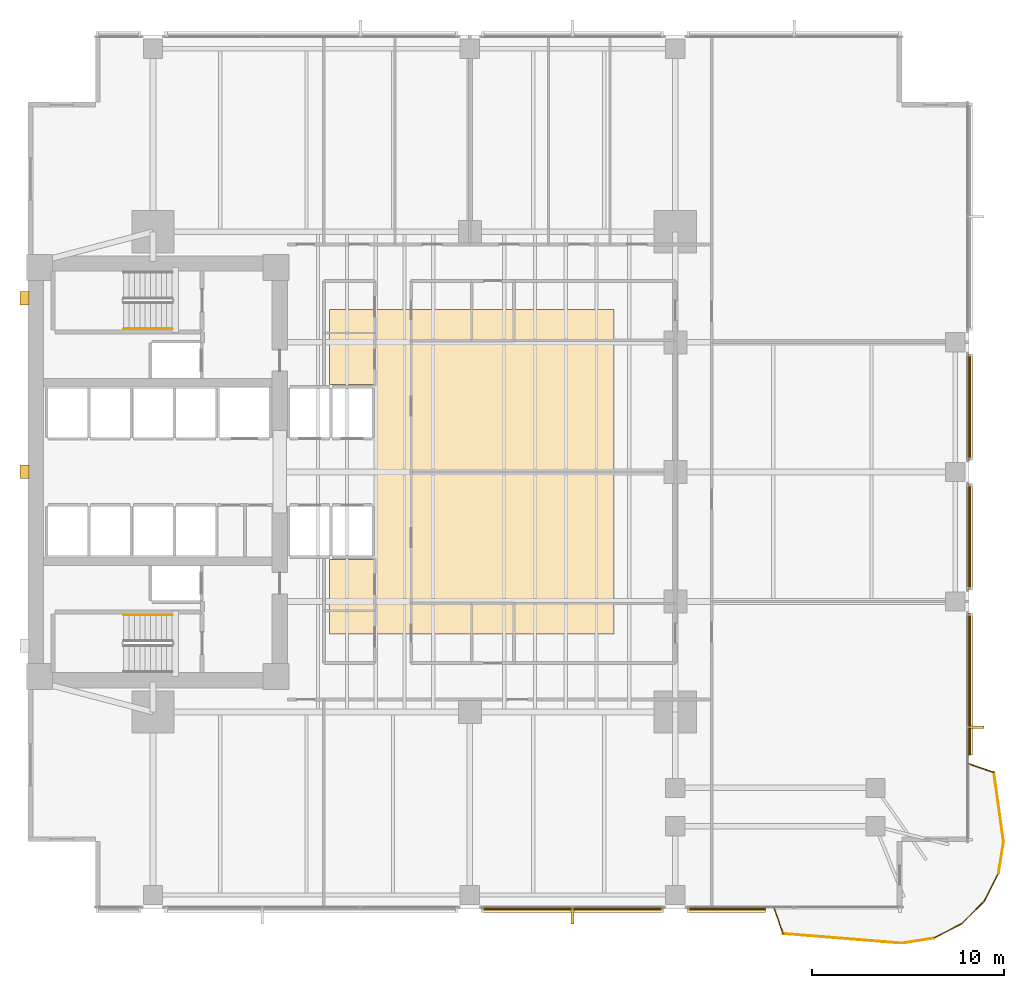
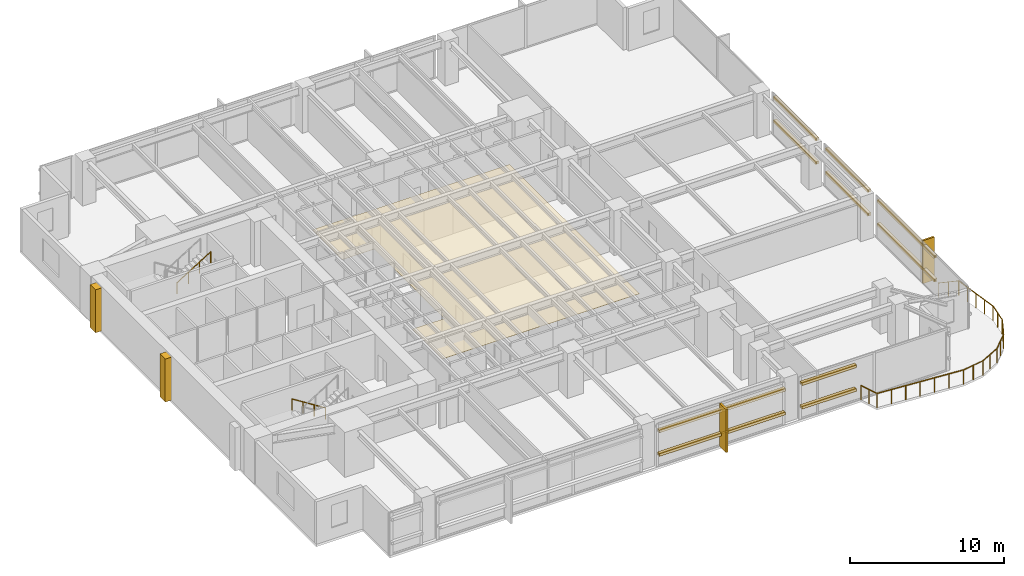
# One storey, part 13 of 15: 15 coverings, 11 railings, 10 shading devices.
"""IFC4 building model written with IfcOpenShell, lengths in metres."""

from ifc_helpers import new_model, si_unit, direction, frame, origin, origin_2d, place, context, subcontext, project, spatial, polyline, rectangle, circle, outline, extrude, material, layer, layer_set, material_profile, profile_set, type_object, element, save


model = new_model("IFC4")

# Units and contexts
model_context = context("Model", 3, precision=1e-05, world=origin(), true_north=direction((0.0, 1.0)))
body_context = subcontext(model_context, "Body", "Model", "MODEL_VIEW")
ifc_project = project(units=[si_unit("LENGTHUNIT", "METRE"), si_unit("AREAUNIT", "SQUARE_METRE"), si_unit("VOLUMEUNIT", "CUBIC_METRE"), si_unit("PLANEANGLEUNIT", "RADIAN"), si_unit("MASSUNIT", "GRAM", prefix="KILO")], contexts=[model_context])

# Site, building, storey
site_placement = place(None, origin())
site = spatial("IfcSite", under=ifc_project, at=site_placement, CompositionType="ELEMENT")
building_placement = place(site_placement, origin())
building = spatial("IfcBuilding", under=site, at=building_placement, Name="Kinhvarn Gate Tower", CompositionType="ELEMENT")
storey_placement = place(building_placement, frame((0.0, 0.0, 50.449951171875)))
storey = spatial("IfcBuildingStorey", under=building, at=storey_placement, Name="L12", CompositionType="ELEMENT", Elevation=50.449951171875)

# Coverings
ifc_material_1 = material(Name="Fired architectural terracotta", Category="masonry")
ifc_layer_1 = layer(ifc_material_1, 0.239990234375)
ifc_layer_set_1 = layer_set([ifc_layer_1], Name="Fired architectural terracotta")
covering_type_1 = type_object("IfcCoveringType", Name="COV-BAG-220", PredefinedType="CLADDING", material=ifc_layer_set_1)
covering_1_placement = place(storey_placement, frame((0.0, 0.0, 0.93994140625)))
element("IfcCovering", 1, at=covering_1_placement, inside=storey, type_object=covering_type_1, Name="Terracotta Horizontal Sunscreen Band TBG-220 (L12)", PredefinedType="CLADDING", context=body_context, shape_type="SweptSolid", body=[
    extrude(outline(polyline([(28.1201171875, 2.56005859375), (37.580078125, 2.56005859375), (37.580078125, 2.320068359375), (28.1201171875, 2.320068359375), (28.1201171875, 2.56005859375)])), origin(), (0.0, 0.0, 1.0), 0.22021484375),
])
covering_2_placement = place(storey_placement, frame((0.0, 0.0, 2.81005859375)))
element("IfcCovering", 2, at=covering_2_placement, inside=storey, type_object=covering_type_1, Name="Terracotta Horizontal Sunscreen Band TBG-220 (L12)", PredefinedType="CLADDING", context=body_context, shape_type="SweptSolid", body=[
    extrude(outline(polyline([(28.1201171875, 2.56005859375), (37.580078125, 2.56005859375), (37.580078125, 2.320068359375), (28.1201171875, 2.320068359375), (28.1201171875, 2.56005859375)])), origin(), (0.0, 0.0, 1.0), 0.219970703125),
])
covering_3_placement = place(storey_placement, frame((0.0, 0.0, 0.93994140625)))
element("IfcCovering", 3, at=covering_3_placement, inside=storey, type_object=covering_type_1, Name="Terracotta Horizontal Sunscreen Band TBG-220 (L12)", PredefinedType="CLADDING", context=body_context, shape_type="SweptSolid", body=[
    extrude(outline(polyline([(38.820068359375, 2.56005859375), (42.906005859375, 2.56005859375), (42.906005859375, 2.320068359375), (38.820068359375, 2.320068359375), (38.820068359375, 2.56005859375)])), origin(), (0.0, 0.0, 1.0), 0.22021484375),
])
covering_4_placement = place(storey_placement, frame((0.0, 0.0, 2.81005859375)))
element("IfcCovering", 4, at=covering_4_placement, inside=storey, type_object=covering_type_1, Name="Terracotta Horizontal Sunscreen Band TBG-220 (L12)", PredefinedType="CLADDING", context=body_context, shape_type="SweptSolid", body=[
    extrude(outline(polyline([(38.820068359375, 2.56005859375), (42.906005859375, 2.56005859375), (42.906005859375, 2.320068359375), (38.820068359375, 2.320068359375), (38.820068359375, 2.56005859375)])), origin(), (0.0, 0.0, 1.0), 0.219970703125),
])
covering_5_placement = place(storey_placement, frame((0.0, 0.0, 0.93994140625)))
element("IfcCovering", 5, at=covering_5_placement, inside=storey, type_object=covering_type_1, Name="Terracotta Horizontal Sunscreen Band TBG-220 (L12)", PredefinedType="CLADDING", context=body_context, shape_type="SweptSolid", body=[
    extrude(outline(polyline([(53.43994140625, 10.4990234375), (53.43994140625, 17.8798828125), (53.679931640625, 17.8798828125), (53.679931640625, 10.4990234375), (53.43994140625, 10.4990234375)])), origin(), (0.0, 0.0, 1.0), 0.22021484375),
])
covering_6_placement = place(storey_placement, frame((0.0, 0.0, 2.81005859375)))
element("IfcCovering", 6, at=covering_6_placement, inside=storey, type_object=covering_type_1, Name="Terracotta Horizontal Sunscreen Band TBG-220 (L12)", PredefinedType="CLADDING", context=body_context, shape_type="SweptSolid", body=[
    extrude(outline(polyline([(53.43994140625, 10.4990234375), (53.43994140625, 17.8798828125), (53.679931640625, 17.8798828125), (53.679931640625, 10.4990234375), (53.43994140625, 10.4990234375)])), origin(), (0.0, 0.0, 1.0), 0.219970703125),
])
covering_7_placement = place(storey_placement, frame((0.0, 0.0, 0.93994140625)))
element("IfcCovering", 7, at=covering_7_placement, inside=storey, type_object=covering_type_1, Name="Terracotta Horizontal Sunscreen Band TBG-220 (L12)", PredefinedType="CLADDING", context=body_context, shape_type="SweptSolid", body=[
    extrude(outline(polyline([(53.43994140625, 19.1201171875), (53.43994140625, 24.6298828125), (53.679931640625, 24.6298828125), (53.679931640625, 19.1201171875), (53.43994140625, 19.1201171875)])), origin(), (0.0, 0.0, 1.0), 0.22021484375),
])
covering_8_placement = place(storey_placement, frame((0.0, 0.0, 2.81005859375)))
element("IfcCovering", 8, at=covering_8_placement, inside=storey, type_object=covering_type_1, Name="Terracotta Horizontal Sunscreen Band TBG-220 (L12)", PredefinedType="CLADDING", context=body_context, shape_type="SweptSolid", body=[
    extrude(outline(polyline([(53.43994140625, 19.1201171875), (53.43994140625, 24.6298828125), (53.679931640625, 24.6298828125), (53.679931640625, 19.1201171875), (53.43994140625, 19.1201171875)])), origin(), (0.0, 0.0, 1.0), 0.219970703125),
])
covering_9_placement = place(storey_placement, frame((0.0, 0.0, 0.93994140625)))
element("IfcCovering", 9, at=covering_9_placement, inside=storey, type_object=covering_type_1, Name="Terracotta Horizontal Sunscreen Band TBG-220 (L12)", PredefinedType="CLADDING", context=body_context, shape_type="SweptSolid", body=[
    extrude(outline(polyline([(53.43994140625, 25.8701171875), (53.43994140625, 31.3798828125), (53.679931640625, 31.3798828125), (53.679931640625, 25.8701171875), (53.43994140625, 25.8701171875)])), origin(), (0.0, 0.0, 1.0), 0.22021484375),
])
covering_10_placement = place(storey_placement, frame((0.0, 0.0, 2.81005859375)))
element("IfcCovering", 10, at=covering_10_placement, inside=storey, type_object=covering_type_1, Name="Terracotta Horizontal Sunscreen Band TBG-220 (L12)", PredefinedType="CLADDING", context=body_context, shape_type="SweptSolid", body=[
    extrude(outline(polyline([(53.43994140625, 25.8701171875), (53.43994140625, 31.3798828125), (53.679931640625, 31.3798828125), (53.679931640625, 25.8701171875), (53.43994140625, 25.8701171875)])), origin(), (0.0, 0.0, 1.0), 0.219970703125),
])
ifc_material_2 = material(Name="Mineral-fibre acoustic ceiling tile")
ifc_layer_2 = layer(ifc_material_2, 0.02001953125)
ifc_layer_set_2 = layer_set([ifc_layer_2], Name="Mineral-fibre acoustic ceiling tile")
covering_type_2 = type_object("IfcCoveringType", Name="COV-CEIL-20", PredefinedType="CEILING", material=ifc_layer_set_2)
covering_11_placement = place(storey_placement, frame((0.0, 0.0, 2.650146484375)))
element("IfcCovering", 11, at=covering_11_placement, inside=storey, type_object=covering_type_2, Name="Suspended Acoustic Ceiling Tile (L12-1)", PredefinedType="CEILING", context=body_context, shape_type="SweptSolid", body=[
    extrude(outline(polyline([(35.0, 33.699951171875), (35.0, 16.800048828125), (20.199951171875, 16.800048828125), (20.199951171875, 20.699951171875), (22.60009765625, 20.699951171875), (22.60009765625, 29.800048828125), (20.199951171875, 29.800048828125), (20.199951171875, 33.699951171875), (35.0, 33.699951171875)])), origin(), (0.0, 0.0, 1.0), 0.02001953125),
])
ifc_layer_3 = layer(ifc_material_1, 0.139892578125)
ifc_layer_set_3 = layer_set([ifc_layer_3], Name="Fired architectural terracotta")
covering_type_3 = type_object("IfcCoveringType", Name="COV-FIN-850", PredefinedType="CLADDING", material=ifc_layer_set_3)
covering_12_placement = place(storey_placement, frame((0.0, 0.0, -0.02001953125)))
element("IfcCovering", 12, at=covering_12_placement, inside=storey, type_object=covering_type_3, Name="Vertical Terracotta Expressive Fin TFN-850 (L12)", PredefinedType="CLADDING", context=body_context, shape_type="SweptSolid", body=[
    extrude(outline(polyline([(32.780029296875, 2.570068359375), (32.919921875, 2.570068359375), (32.919921875, 1.719970703125), (32.780029296875, 1.719970703125), (32.780029296875, 2.570068359375)])), origin(), (0.0, 0.0, 1.0), 3.41015625),
])
covering_13_placement = place(storey_placement, frame((0.0, 0.0, -0.02001953125)))
element("IfcCovering", 13, at=covering_13_placement, inside=storey, type_object=covering_type_3, Name="Vertical Terracotta Expressive Fin TFN-850 (L12)", PredefinedType="CLADDING", context=body_context, shape_type="SweptSolid", body=[
    extrude(outline(polyline([(53.429931640625, 11.889892578125), (53.429931640625, 12.030029296875), (54.280029296875, 12.030029296875), (54.280029296875, 11.889892578125), (53.429931640625, 11.889892578125)])), origin(), (0.0, 0.0, 1.0), 3.41015625),
])
ifc_material_3 = material(Name="Precast white architectural concrete C40/50", Category="concrete")
ifc_layer_4 = layer(ifc_material_3, 0.47998046875)
ifc_layer_set_4 = layer_set([ifc_layer_4], Name="Precast white architectural concrete C40/50")
covering_type_4 = type_object("IfcCoveringType", Name="COV-RIB-450", PredefinedType="CLADDING", material=ifc_layer_set_4)
covering_14_placement = place(storey_placement, frame((0.0, 0.0, -0.02001953125)))
element("IfcCovering", 14, at=covering_14_placement, inside=storey, type_object=covering_type_4, Name="West Core Sculptural Concrete Relief Rib CRB-450 (L12)", PredefinedType="CLADDING", context=body_context, shape_type="SweptSolid", body=[
    extrude(outline(polyline([(4.080078125, 24.89990234375), (4.56005859375, 24.89990234375), (4.56005859375, 25.60009765625), (4.080078125, 25.60009765625), (4.080078125, 24.89990234375)])), origin(), (0.0, 0.0, 1.0), 3.41015625),
])
covering_15_placement = place(storey_placement, frame((0.0, 0.0, -0.02001953125)))
element("IfcCovering", 15, at=covering_15_placement, inside=storey, type_object=covering_type_4, Name="West Core Sculptural Concrete Relief Rib CRB-450 (L12)", PredefinedType="CLADDING", context=body_context, shape_type="SweptSolid", body=[
    extrude(outline(polyline([(4.080078125, 33.949951171875), (4.56005859375, 33.949951171875), (4.56005859375, 34.64990234375), (4.080078125, 34.64990234375), (4.080078125, 33.949951171875)])), origin(), (0.0, 0.0, 1.0), 3.41015625),
])

# Railings
ifc_material_4 = material(Name="Clear low-e double glazing", Category="glass")
railing_type_1 = type_object("IfcRailingType", Name="RL-BAL-1150", PredefinedType="BALUSTRADE", material=ifc_material_4)
railing_1_placement = place(storey_placement, frame((43.35595703125, 2.5, 0.0)))
element("IfcRailing", 16, at=railing_1_placement, inside=storey, type_object=railing_type_1, Name="S-Carve Balcony Guardrail Seg 1 (L12)", PredefinedType="BALUSTRADE", context=body_context, shape_type="SweptSolid", body=[
    extrude(circle(Radius=0.02392578125, at=origin_2d()), frame((0.0, 0.0, 1.1259765625), z_axis=(0.329609454803, -0.944117369454, 0.0), x_axis=(0.944117369454, 0.329609454803, 0.0)), (0.0, 0.0, 1.0), 1.364990234375),
    extrude(circle(Radius=0.02099609375, at=origin_2d()), origin(), (0.0, 0.0, 1.0), 1.101806640625),
    extrude(circle(Radius=0.02099609375, at=origin_2d()), frame((0.22509765625, -0.64453125, 0.0)), (0.0, 0.0, 1.0), 1.101806640625),
    extrude(circle(Radius=0.02099609375, at=origin_2d()), frame((0.449951171875, -1.288818359375, 0.0)), (0.0, 0.0, 1.0), 1.101806640625),
])
railing_2_placement = place(storey_placement, frame((43.805908203125, 1.211181640625, 0.0)))
element("IfcRailing", 17, at=railing_2_placement, inside=storey, type_object=railing_type_1, Name="S-Carve Balcony Guardrail Seg 2 (L12)", PredefinedType="BALUSTRADE", context=body_context, shape_type="SweptSolid", body=[
    extrude(circle(Radius=0.02392578125, at=origin_2d()), frame((0.0, 0.0, 1.1259765625), z_axis=(0.996742035741, -0.08065552794, 0.0), x_axis=(0.08065552794, 0.996742035741, 0.0)), (0.0, 0.0, 1.0), 6.21435546875),
    extrude(circle(Radius=0.02099609375, at=origin_2d()), origin(), (0.0, 0.0, 1.0), 1.101806640625),
    extrude(circle(Radius=0.02099609375, at=origin_2d()), frame((1.0322265625, -0.08349609375, 0.0)), (0.0, 0.0, 1.0), 1.101806640625),
    extrude(circle(Radius=0.02099609375, at=origin_2d()), frame((2.064697265625, -0.1669921875, 0.0)), (0.0, 0.0, 1.0), 1.101806640625),
    extrude(circle(Radius=0.02099609375, at=origin_2d()), frame((3.09716796875, -0.25048828125, 0.0)), (0.0, 0.0, 1.0), 1.101806640625),
    extrude(circle(Radius=0.02099609375, at=origin_2d()), frame((4.12939453125, -0.334228515625, 0.0)), (0.0, 0.0, 1.0), 1.101806640625),
    extrude(circle(Radius=0.02099609375, at=origin_2d()), frame((5.16162109375, -0.417724609375, 0.0)), (0.0, 0.0, 1.0), 1.101806640625),
    extrude(circle(Radius=0.02099609375, at=origin_2d()), frame((6.194091796875, -0.501220703125, 0.0)), (0.0, 0.0, 1.0), 1.101806640625),
])
railing_3_placement = place(storey_placement, frame((50.0, 0.7099609375, 0.0)))
element("IfcRailing", 18, at=railing_3_placement, inside=storey, type_object=railing_type_1, Name="S-Carve Balcony Guardrail Seg 3 (L12)", PredefinedType="BALUSTRADE", context=body_context, shape_type="SweptSolid", body=[
    extrude(circle(Radius=0.02392578125, at=origin_2d()), frame((0.0, 0.0, 1.1259765625), z_axis=(0.987677905229, 0.156500337134, 0.0), x_axis=(-0.156500337134, 0.987677905229, 0.0)), (0.0, 0.0, 1.0), 1.6552734375),
    extrude(circle(Radius=0.02099609375, at=origin_2d()), origin(), (0.0, 0.0, 1.0), 1.101806640625),
    extrude(circle(Radius=0.02099609375, at=origin_2d()), frame((0.8173828125, 0.12939453125, 0.0)), (0.0, 0.0, 1.0), 1.101806640625),
    extrude(circle(Radius=0.02099609375, at=origin_2d()), frame((1.634765625, 0.259033203125, 0.0)), (0.0, 0.0, 1.0), 1.101806640625),
])
railing_4_placement = place(storey_placement, frame((51.634765625, 0.968994140625, 0.0)))
element("IfcRailing", 19, at=railing_4_placement, inside=storey, type_object=railing_type_1, Name="S-Carve Balcony Guardrail Seg 4 (L12)", PredefinedType="BALUSTRADE", context=body_context, shape_type="SweptSolid", body=[
    extrude(circle(Radius=0.02392578125, at=origin_2d()), frame((0.0, 0.0, 1.1259765625), z_axis=(0.891038371046, 0.453927991342, 0.0), x_axis=(-0.453927991342, 0.891038371046, 0.0)), (0.0, 0.0, 1.0), 1.655029296875),
    extrude(circle(Radius=0.02099609375, at=origin_2d()), origin(), (0.0, 0.0, 1.0), 1.101806640625),
    extrude(circle(Radius=0.02099609375, at=origin_2d()), frame((0.7373046875, 0.37548828125, 0.0)), (0.0, 0.0, 1.0), 1.101806640625),
    extrude(circle(Radius=0.02099609375, at=origin_2d()), frame((1.474609375, 0.751220703125, 0.0)), (0.0, 0.0, 1.0), 1.101806640625),
])
railing_5_placement = place(storey_placement, frame((53.109375, 1.72021484375, 0.0)))
element("IfcRailing", 20, at=railing_5_placement, inside=storey, type_object=railing_type_1, Name="S-Carve Balcony Guardrail Seg 5 (L12)", PredefinedType="BALUSTRADE", context=body_context, shape_type="SweptSolid", body=[
    extrude(circle(Radius=0.02392578125, at=origin_2d()), frame((0.0, 0.0, 1.1259765625), z_axis=(0.707106781187, 0.707106781187, 0.0), x_axis=(-0.707106781187, 0.707106781187, 0.0)), (0.0, 0.0, 1.0), 1.6552734375),
    extrude(circle(Radius=0.02099609375, at=origin_2d()), origin(), (0.0, 0.0, 1.0), 1.101806640625),
    extrude(circle(Radius=0.02099609375, at=origin_2d()), frame((0.585205078125, 0.585205078125, 0.0)), (0.0, 0.0, 1.0), 1.101806640625),
    extrude(circle(Radius=0.02099609375, at=origin_2d()), frame((1.17041015625, 1.17041015625, 0.0)), (0.0, 0.0, 1.0), 1.101806640625),
])
railing_6_placement = place(storey_placement, frame((54.27978515625, 2.890625, 0.0)))
element("IfcRailing", 21, at=railing_6_placement, inside=storey, type_object=railing_type_1, Name="S-Carve Balcony Guardrail Seg 6 (L12)", PredefinedType="BALUSTRADE", context=body_context, shape_type="SweptSolid", body=[
    extrude(circle(Radius=0.02392578125, at=origin_2d()), frame((0.0, 0.0, 1.1259765625), z_axis=(0.453927991342, 0.891038371046, 0.0), x_axis=(-0.891038371046, 0.453927991342, 0.0)), (0.0, 0.0, 1.0), 1.655029296875),
    extrude(circle(Radius=0.02099609375, at=origin_2d()), origin(), (0.0, 0.0, 1.0), 1.101806640625),
    extrude(circle(Radius=0.02099609375, at=origin_2d()), frame((0.37548828125, 0.7373046875, 0.0)), (0.0, 0.0, 1.0), 1.101806640625),
    extrude(circle(Radius=0.02099609375, at=origin_2d()), frame((0.751220703125, 1.474609375, 0.0)), (0.0, 0.0, 1.0), 1.101806640625),
])
railing_7_placement = place(storey_placement, frame((55.031005859375, 4.365234375, 0.0)))
element("IfcRailing", 22, at=railing_7_placement, inside=storey, type_object=railing_type_1, Name="S-Carve Balcony Guardrail Seg 7 (L12)", PredefinedType="BALUSTRADE", context=body_context, shape_type="SweptSolid", body=[
    extrude(circle(Radius=0.02392578125, at=origin_2d()), frame((0.0, 0.0, 1.1259765625), z_axis=(0.156500337134, 0.987677905229, 0.0), x_axis=(-0.987677905229, 0.156500337134, 0.0)), (0.0, 0.0, 1.0), 1.6552734375),
    extrude(circle(Radius=0.02099609375, at=origin_2d()), origin(), (0.0, 0.0, 1.0), 1.101806640625),
    extrude(circle(Radius=0.02099609375, at=origin_2d()), frame((0.12939453125, 0.8173828125, 0.0)), (0.0, 0.0, 1.0), 1.101806640625),
    extrude(circle(Radius=0.02099609375, at=origin_2d()), frame((0.259033203125, 1.634765625, 0.0)), (0.0, 0.0, 1.0), 1.101806640625),
])
railing_8_placement = place(storey_placement, frame((55.2900390625, 6.0, 0.0)))
element("IfcRailing", 23, at=railing_8_placement, inside=storey, type_object=railing_type_1, Name="S-Carve Balcony Guardrail Seg 8 (L12)", PredefinedType="BALUSTRADE", context=body_context, shape_type="SweptSolid", body=[
    extrude(circle(Radius=0.02392578125, at=origin_2d()), frame((0.0, 0.0, 1.1259765625), z_axis=(-0.137930886635, 0.9904418562, 0.0), x_axis=(-0.9904418562, -0.137930886635, 0.0)), (0.0, 0.0, 1.0), 3.6337890625),
    extrude(circle(Radius=0.02099609375, at=origin_2d()), origin(), (0.0, 0.0, 1.0), 1.101806640625),
    extrude(circle(Radius=0.02099609375, at=origin_2d()), frame((-0.125244140625, 0.89990234375, 0.0)), (0.0, 0.0, 1.0), 1.101806640625),
    extrude(circle(Radius=0.02099609375, at=origin_2d()), frame((-0.25048828125, 1.799560546875, 0.0)), (0.0, 0.0, 1.0), 1.101806640625),
    extrude(circle(Radius=0.02099609375, at=origin_2d()), frame((-0.3759765625, 2.69921875, 0.0)), (0.0, 0.0, 1.0), 1.101806640625),
    extrude(circle(Radius=0.02099609375, at=origin_2d()), frame((-0.501220703125, 3.59912109375, 0.0)), (0.0, 0.0, 1.0), 1.101806640625),
])
railing_9_placement = place(storey_placement, frame((54.788818359375, 9.59912109375, 0.0)))
element("IfcRailing", 24, at=railing_9_placement, inside=storey, type_object=railing_type_1, Name="S-Carve Balcony Guardrail Seg 9 (L12)", PredefinedType="BALUSTRADE", context=body_context, shape_type="SweptSolid", body=[
    extrude(circle(Radius=0.02392578125, at=origin_2d()), frame((0.0, 0.0, 1.1259765625), z_axis=(-0.944117369454, 0.329609454803, 0.0), x_axis=(-0.329609454803, -0.944117369454, 0.0)), (0.0, 0.0, 1.0), 1.364990234375),
    extrude(circle(Radius=0.02099609375, at=origin_2d()), origin(), (0.0, 0.0, 1.0), 1.101806640625),
    extrude(circle(Radius=0.02099609375, at=origin_2d()), frame((-0.64453125, 0.22509765625, 0.0)), (0.0, 0.0, 1.0), 1.101806640625),
    extrude(circle(Radius=0.02099609375, at=origin_2d()), frame((-1.288818359375, 0.449951171875, 0.0)), (0.0, 0.0, 1.0), 1.101806640625),
])
ifc_material_5 = material(Name="Steel S355", Category="steel")
railing_type_2 = type_object("IfcRailingType", Name="RL-ST-HND", PredefinedType="HANDRAIL", material=ifc_material_5)
railing_10_placement = place(storey_placement, frame((12.0, 17.800048828125, 0.177490234375)))
element("IfcRailing", 25, at=railing_10_placement, inside=storey, type_object=railing_type_2, Name="L12 ST1 stair handrail 1", PredefinedType="HANDRAIL", context=body_context, shape_type="SweptSolid", body=[
    extrude(circle(Radius=0.02392578125, at=origin_2d()), frame((0.0, 0.0, 0.8759765625), z_axis=(-0.84456994832, 0.0, 0.535445237532), x_axis=(0.0, -1.0, 0.0)), (0.0, 0.0, 1.0), 2.98388671875),
    extrude(circle(Radius=0.02099609375, at=origin_2d()), origin(), (0.0, 0.0, 1.0), 0.851806640625),
    extrude(circle(Radius=0.02099609375, at=origin_2d()), frame((-0.840087890625, 0.0, 0.532470703125)), (0.0, 0.0, 1.0), 0.851806640625),
    extrude(circle(Radius=0.02099609375, at=origin_2d()), frame((-1.679931640625, 0.0, 1.065185546875)), (0.0, 0.0, 1.0), 0.851806640625),
    extrude(circle(Radius=0.02099609375, at=origin_2d()), frame((-2.52001953125, 0.0, 1.59765625)), (0.0, 0.0, 1.0), 0.851806640625),
])
railing_11_placement = place(storey_placement, frame((9.47998046875, 32.699951171875, 1.95263671875)))
element("IfcRailing", 26, at=railing_11_placement, inside=storey, type_object=railing_type_2, Name="L12 ST2 stair handrail 2", PredefinedType="HANDRAIL", context=body_context, shape_type="SweptSolid", body=[
    extrude(circle(Radius=0.02392578125, at=origin_2d()), frame((0.0, 0.0, 0.8759765625), z_axis=(0.84460694969, 0.0, 0.535386869969), x_axis=(0.0, 1.0, 0.0)), (0.0, 0.0, 1.0), 2.983642578125),
    extrude(circle(Radius=0.02099609375, at=origin_2d()), origin(), (0.0, 0.0, 1.0), 0.851806640625),
    extrude(circle(Radius=0.02099609375, at=origin_2d()), frame((0.840087890625, 0.0, 0.532470703125)), (0.0, 0.0, 1.0), 0.851806640625),
    extrude(circle(Radius=0.02099609375, at=origin_2d()), frame((1.679931640625, 0.0, 1.06494140625)), (0.0, 0.0, 1.0), 0.851806640625),
    extrude(circle(Radius=0.02099609375, at=origin_2d()), frame((2.52001953125, 0.0, 1.597412109375)), (0.0, 0.0, 1.0), 0.851806640625),
])

# Shading devices
ifc_material_profile = material_profile(ifc_material_1, rectangle(XDim=0.06005859375, YDim=0.139892578125, at=origin_2d()), Name="TC 60x140")
ifc_profile_set = profile_set([ifc_material_profile], Name="Fired architectural terracotta")
shading_device_type = type_object("IfcShadingDeviceType", Name="SHD-BAG-180", PredefinedType="USERDEFINED", material=ifc_profile_set)
for number, where, z_axis, x_axis, name in (
    (27, (28.1201171875, 2.485107421875, 1.050048828125), (1.0, 0.0, 0.0), (0.0, 1.0, 0.0), "Fired Terracotta Baguette Screen Rod 60x140 mm (L12)"),
    (28, (28.1201171875, 2.485107421875, 2.920166015625), (1.0, 0.0, 0.0), (0.0, 1.0, 0.0), "Fired Terracotta Baguette Screen Rod 60x140 mm (L12)"),
):
    element("IfcShadingDevice", number, at=place(storey_placement, frame(where, z_axis=z_axis, x_axis=x_axis)), inside=storey, type_object=shading_device_type, Name=name, ObjectType="BAGUETTE", PredefinedType="USERDEFINED", context=body_context, shape_type="SweptSolid", body=[
        extrude(rectangle(XDim=0.06005859375, YDim=0.139892578125, at=origin_2d()), origin(), (0.0, 0.0, 1.0), 9.4599609375),
    ])
for number, where, z_axis, x_axis, name in (
    (29, (38.820068359375, 2.485107421875, 1.050048828125), (1.0, 0.0, 0.0), (0.0, 1.0, 0.0), "Fired Terracotta Baguette Screen Rod 60x140 mm (L12)"),
    (30, (38.820068359375, 2.485107421875, 2.920166015625), (1.0, 0.0, 0.0), (0.0, 1.0, 0.0), "Fired Terracotta Baguette Screen Rod 60x140 mm (L12)"),
):
    element("IfcShadingDevice", number, at=place(storey_placement, frame(where, z_axis=z_axis, x_axis=x_axis)), inside=storey, type_object=shading_device_type, Name=name, ObjectType="BAGUETTE", PredefinedType="USERDEFINED", context=body_context, shape_type="SweptSolid", body=[
        extrude(rectangle(XDim=0.06005859375, YDim=0.139892578125, at=origin_2d()), origin(), (0.0, 0.0, 1.0), 4.0859375),
    ])
for number, where, z_axis, x_axis, name in (
    (31, (53.514892578125, 10.4990234375, 1.050048828125), (0.0, 1.0, 0.0), (-1.0, 0.0, 0.0), "Fired Terracotta Baguette Screen Rod 60x140 mm (L12)"),
    (32, (53.514892578125, 10.4990234375, 2.920166015625), (0.0, 1.0, 0.0), (-1.0, 0.0, 0.0), "Fired Terracotta Baguette Screen Rod 60x140 mm (L12)"),
):
    element("IfcShadingDevice", number, at=place(storey_placement, frame(where, z_axis=z_axis, x_axis=x_axis)), inside=storey, type_object=shading_device_type, Name=name, ObjectType="BAGUETTE", PredefinedType="USERDEFINED", context=body_context, shape_type="SweptSolid", body=[
        extrude(rectangle(XDim=0.06005859375, YDim=0.139892578125, at=origin_2d()), origin(), (0.0, 0.0, 1.0), 7.380859375),
    ])
for number, where, z_axis, x_axis, name in (
    (33, (53.514892578125, 19.1201171875, 1.050048828125), (0.0, 1.0, 0.0), (-1.0, 0.0, 0.0), "Fired Terracotta Baguette Screen Rod 60x140 mm (L12)"),
    (34, (53.514892578125, 19.1201171875, 2.920166015625), (0.0, 1.0, 0.0), (-1.0, 0.0, 0.0), "Fired Terracotta Baguette Screen Rod 60x140 mm (L12)"),
    (35, (53.514892578125, 25.8701171875, 1.050048828125), (0.0, 1.0, 0.0), (-1.0, 0.0, 0.0), "Fired Terracotta Baguette Screen Rod 60x140 mm (L12)"),
    (36, (53.514892578125, 25.8701171875, 2.920166015625), (0.0, 1.0, 0.0), (-1.0, 0.0, 0.0), "Fired Terracotta Baguette Screen Rod 60x140 mm (L12)"),
):
    element("IfcShadingDevice", number, at=place(storey_placement, frame(where, z_axis=z_axis, x_axis=x_axis)), inside=storey, type_object=shading_device_type, Name=name, ObjectType="BAGUETTE", PredefinedType="USERDEFINED", context=body_context, shape_type="SweptSolid", body=[
        extrude(rectangle(XDim=0.06005859375, YDim=0.139892578125, at=origin_2d()), origin(), (0.0, 0.0, 1.0), 5.509765625),
    ])

save(model, "model.ifc")
